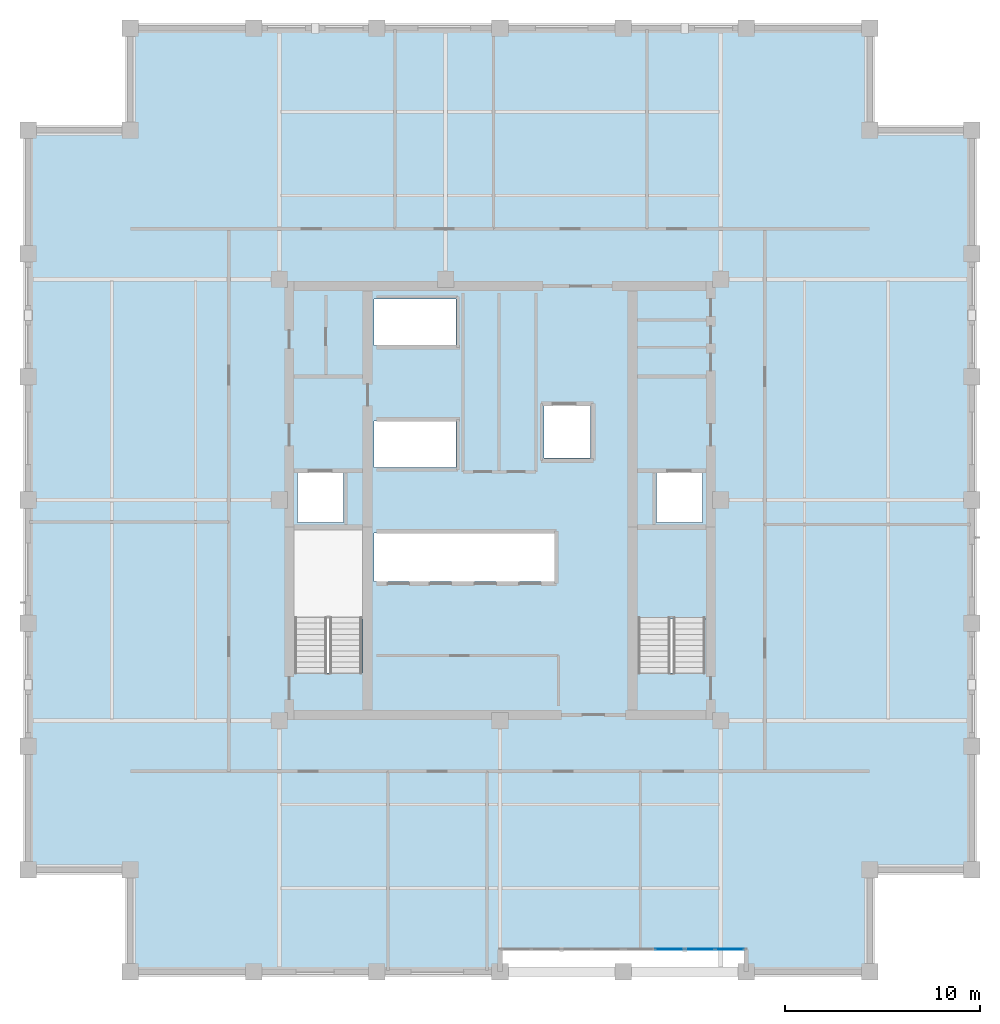
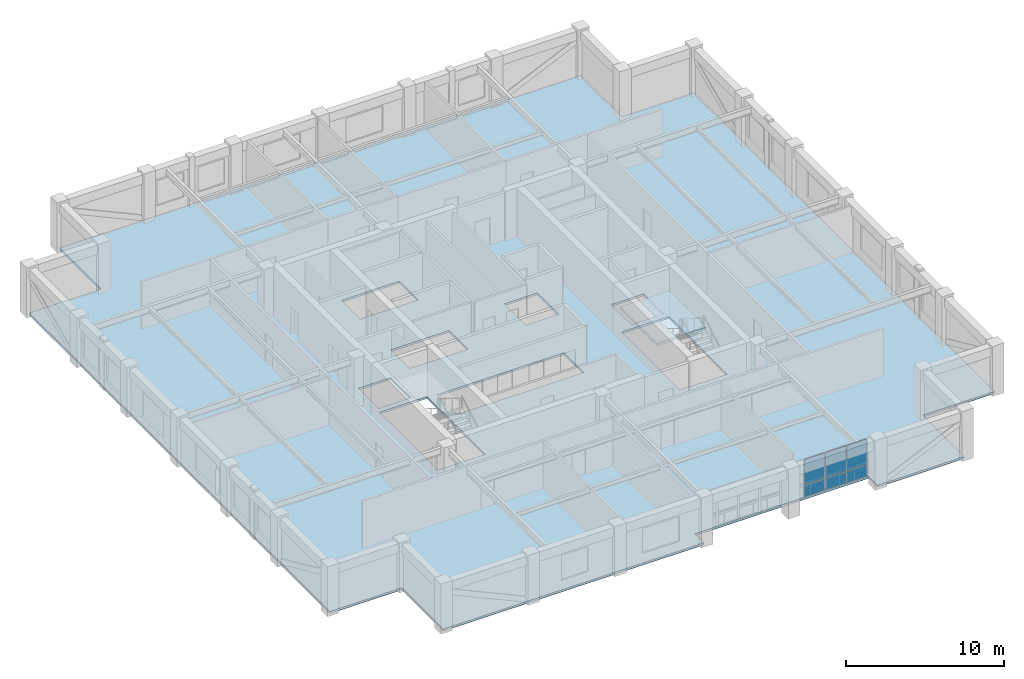
# One storey, part 7 of 13: 6 plates, 2 slabs, 2 elements without a shape of their own.
"""IFC4 building model written with IfcOpenShell, lengths in metres."""

from ifc_helpers import new_model, si_unit, direction, frame, origin, origin_2d, place, context, subcontext, project, spatial, polyline, rectangle, outline, extrude, material, layer, layer_set, type_object, element, aggregate, save


model = new_model("IFC4")

# Units and contexts
model_context = context("Model", 3, precision=1e-05, world=origin(), true_north=direction((0.0, 1.0)))
body_context = subcontext(model_context, "Body", "Model", "MODEL_VIEW")
ifc_project = project(units=[si_unit("LENGTHUNIT", "METRE"), si_unit("AREAUNIT", "SQUARE_METRE"), si_unit("VOLUMEUNIT", "CUBIC_METRE"), si_unit("PLANEANGLEUNIT", "RADIAN"), si_unit("MASSUNIT", "GRAM", prefix="KILO")], contexts=[model_context])

# Site, building, storey
site_placement = place(None, origin())
site = spatial("IfcSite", under=ifc_project, at=site_placement, CompositionType="ELEMENT")
building_placement = place(site_placement, origin())
building = spatial("IfcBuilding", under=site, at=building_placement, Name="Nhamokura Convention Tower", CompositionType="ELEMENT")
storey_placement = place(building_placement, frame((0.0, 0.0, 206.14990234375)))
storey = spatial("IfcBuildingStorey", under=building, at=storey_placement, Name="L50", CompositionType="ELEMENT", Elevation=206.14990234375)

# Curtain wall, plates
ifc_material_1 = material(Name="Anodised bronze aluminium AA6063-T6", Category="aluminium")
ifc_layer_1 = layer(ifc_material_1, 0.155029296875)
ifc_layer_set_1 = layer_set([ifc_layer_1], Name="CWSystem_ScaleSlot_Zone3")
curtain_wall_type = type_object("IfcCurtainWallType", Name="CWSystem_ScaleSlot_Zone3", PredefinedType="NOTDEFINED", material=ifc_layer_set_1)
curtain_wall_placement = place(storey_placement, origin())
curtain_wall = element("IfcCurtainWall", 1, at=curtain_wall_placement, inside=storey, type_object=curtain_wall_type, Name="L50 Curtain Wall ENV-L50-SLOT-S4", PredefinedType="NOTDEFINED")
ifc_material_2 = material(Name="Solar-control bronze low-E double glass", Category="glass")
ifc_layer_2 = layer(ifc_material_2, 0.0400390625)
ifc_layer_set_2 = layer_set([ifc_layer_2], Name="CWGlazedPanel_3")
plate_type = type_object("IfcPlateType", Name="CWGlazedPanel_3", PredefinedType="CURTAIN_PANEL", material=ifc_layer_set_2)
plate_1_placement = place(storey_placement, frame((43.813720703125, 8.89990234375, 0.065185546875), z_axis=(0.0, 0.0, 1.0), x_axis=(-1.0, 0.0, 0.0)))
plate_1 = element("IfcPlate", 2, at=plate_1_placement, type_object=plate_type, Name="CW-05 panel 1.1", PredefinedType="CURTAIN_PANEL", context=body_context, shape_type="SweptSolid", body=[
    extrude(rectangle(XDim=1.455810546875, YDim=0.0400390625, at=origin_2d()), origin(), (0.0, 0.0, 1.0), 0.8525390625),
])
plate_2_placement = place(storey_placement, frame((43.813720703125, 8.89990234375, 0.982666015625), z_axis=(0.0, 0.0, 1.0), x_axis=(-1.0, 0.0, 0.0)))
plate_2 = element("IfcPlate", 3, at=plate_2_placement, type_object=plate_type, Name="CW-05 panel 1.2", PredefinedType="CURTAIN_PANEL", context=body_context, shape_type="SweptSolid", body=[
    extrude(rectangle(XDim=1.455810546875, YDim=0.0400390625, at=origin_2d()), origin(), (0.0, 0.0, 1.0), 1.9375),
])
plate_3_placement = place(storey_placement, frame((42.276611328125, 8.89990234375, 0.065185546875), z_axis=(0.0, 0.0, 1.0), x_axis=(-1.0, 0.0, 0.0)))
plate_3 = element("IfcPlate", 4, at=plate_3_placement, type_object=plate_type, Name="CW-05 panel 2.1", PredefinedType="CURTAIN_PANEL", context=body_context, shape_type="SweptSolid", body=[
    extrude(rectangle(XDim=1.48828125, YDim=0.0400390625, at=origin_2d()), origin(), (0.0, 0.0, 1.0), 0.8525390625),
])
plate_4_placement = place(storey_placement, frame((42.276611328125, 8.89990234375, 0.982666015625), z_axis=(0.0, 0.0, 1.0), x_axis=(-1.0, 0.0, 0.0)))
plate_4 = element("IfcPlate", 5, at=plate_4_placement, type_object=plate_type, Name="CW-05 panel 2.2", PredefinedType="CURTAIN_PANEL", context=body_context, shape_type="SweptSolid", body=[
    extrude(rectangle(XDim=1.48828125, YDim=0.0400390625, at=origin_2d()), origin(), (0.0, 0.0, 1.0), 1.9375),
])
plate_5_placement = place(storey_placement, frame((40.723388671875, 8.89990234375, 0.065185546875), z_axis=(0.0, 0.0, 1.0), x_axis=(-1.0, 0.0, 0.0)))
plate_5 = element("IfcPlate", 6, at=plate_5_placement, type_object=plate_type, Name="CW-05 panel 3.1", PredefinedType="CURTAIN_PANEL", context=body_context, shape_type="SweptSolid", body=[
    extrude(rectangle(XDim=1.48828125, YDim=0.0400390625, at=origin_2d()), origin(), (0.0, 0.0, 1.0), 0.8525390625),
])
plate_6_placement = place(storey_placement, frame((40.723388671875, 8.89990234375, 0.982666015625), z_axis=(0.0, 0.0, 1.0), x_axis=(-1.0, 0.0, 0.0)))
plate_6 = element("IfcPlate", 7, at=plate_6_placement, type_object=plate_type, Name="CW-05 panel 3.2", PredefinedType="CURTAIN_PANEL", context=body_context, shape_type="SweptSolid", body=[
    extrude(rectangle(XDim=1.48828125, YDim=0.0400390625, at=origin_2d()), origin(), (0.0, 0.0, 1.0), 1.9375),
])
aggregate(curtain_wall, [plate_1, plate_2, plate_3, plate_4, plate_5, plate_6])

# Slab
ifc_material_3 = material(Name="Concrete C40/50", Category="concrete")
ifc_layer_3 = layer(ifc_material_3, 0.1650390625)
ifc_layer_set_3 = layer_set([ifc_layer_3], Name="OfficeFloorSlab_165")
slab_type_1 = type_object("IfcSlabType", Name="OfficeFloorSlab_165", PredefinedType="FLOOR", material=ifc_layer_set_3)
slab_1_placement = place(storey_placement, frame((0.0, 0.0, -0.164794921875)))
element("IfcSlab", 8, at=slab_1_placement, inside=storey, type_object=slab_type_1, Name="L50 Structural Floor Slab", PredefinedType="FLOOR", context=body_context, shape_type="SweptSolid", body=[
    extrude(outline(polyline([(13.0, 7.75), (32.0, 7.75), (32.0, 8.89990234375), (44.666748046875, 8.89990234375), (44.666748046875, 7.75), (51.0, 7.75), (51.0, 13.0), (56.25, 13.0), (56.25, 51.0), (51.0, 51.0), (51.0, 56.25), (13.0, 56.25), (13.0, 51.0), (7.75, 51.0), (7.75, 13.0), (13.0, 13.0), (13.0, 7.75)]), holes=[polyline([(24.89990234375, 23.10009765625), (24.89990234375, 30.449951171875), (21.449951171875, 30.449951171875), (21.449951171875, 23.10009765625), (24.89990234375, 23.10009765625)]), polyline([(42.550048828125, 23.10009765625), (42.550048828125, 30.449951171875), (39.10009765625, 30.449951171875), (39.10009765625, 23.10009765625), (42.550048828125, 23.10009765625)]), polyline([(21.60009765625, 30.85009765625), (23.949951171875, 30.85009765625), (23.949951171875, 33.39990234375), (21.60009765625, 33.39990234375), (21.60009765625, 30.85009765625)]), polyline([(40.050048828125, 30.85009765625), (42.39990234375, 30.85009765625), (42.39990234375, 33.39990234375), (40.050048828125, 33.39990234375), (40.050048828125, 30.85009765625)]), polyline([(34.25, 34.14990234375), (36.64990234375, 34.14990234375), (36.64990234375, 36.85009765625), (34.25, 36.85009765625), (34.25, 34.14990234375)]), polyline([(25.52001953125, 27.800048828125), (34.800048828125, 27.800048828125), (34.800048828125, 30.300048828125), (25.52001953125, 30.300048828125), (25.52001953125, 27.800048828125)]), polyline([(25.52001953125, 33.679931640625), (29.75, 33.679931640625), (29.75, 36.050048828125), (25.52001953125, 36.050048828125), (25.52001953125, 33.679931640625)]), polyline([(25.52001953125, 39.949951171875), (29.75, 39.949951171875), (29.75, 42.320068359375), (25.52001953125, 42.320068359375), (25.52001953125, 39.949951171875)])]), origin(), (0.0, 0.0, 1.0), 0.164794921875),
])

# Stair, slab
ifc_material_4 = material(Name="Concrete C40/50", Category="concrete")
stair_type = type_object("IfcStairType", Name="TowerCoreStair_1650", PredefinedType="HALF_TURN_STAIR", material=ifc_material_4)
stair_placement = place(storey_placement, origin())
stair = element("IfcStair", 9, at=stair_placement, inside=storey, type_object=stair_type, Name="L50 East Core Smokeproof Stair ST-02", PredefinedType="HALF_TURN_STAIR")
ifc_material_5 = material(Name="Concrete C40/50", Category="concrete")
ifc_layer_4 = layer(ifc_material_5, 0.199951171875)
ifc_layer_set_4 = layer_set([ifc_layer_4], Name="StairLandingSlab_200")
slab_type_2 = type_object("IfcSlabType", Name="StairLandingSlab_200", PredefinedType="LANDING", material=ifc_layer_set_4)
slab_2_placement = place(storey_placement, frame((0.0, 0.0, 1.72509765625)))
slab_2 = element("IfcSlab", 10, at=slab_2_placement, type_object=slab_type_2, Name="ST-02 landing 1", PredefinedType="LANDING", context=body_context, shape_type="SweptSolid", body=[
    extrude(outline(polyline([(42.6298828125, 25.8701171875), (42.6298828125, 30.530029296875), (39.02001953125, 30.530029296875), (39.02001953125, 25.8701171875), (42.6298828125, 25.8701171875)])), origin(), (0.0, 0.0, 1.0), 0.199951171875),
])
aggregate(stair, [slab_2])

save(model, "model.ifc")
